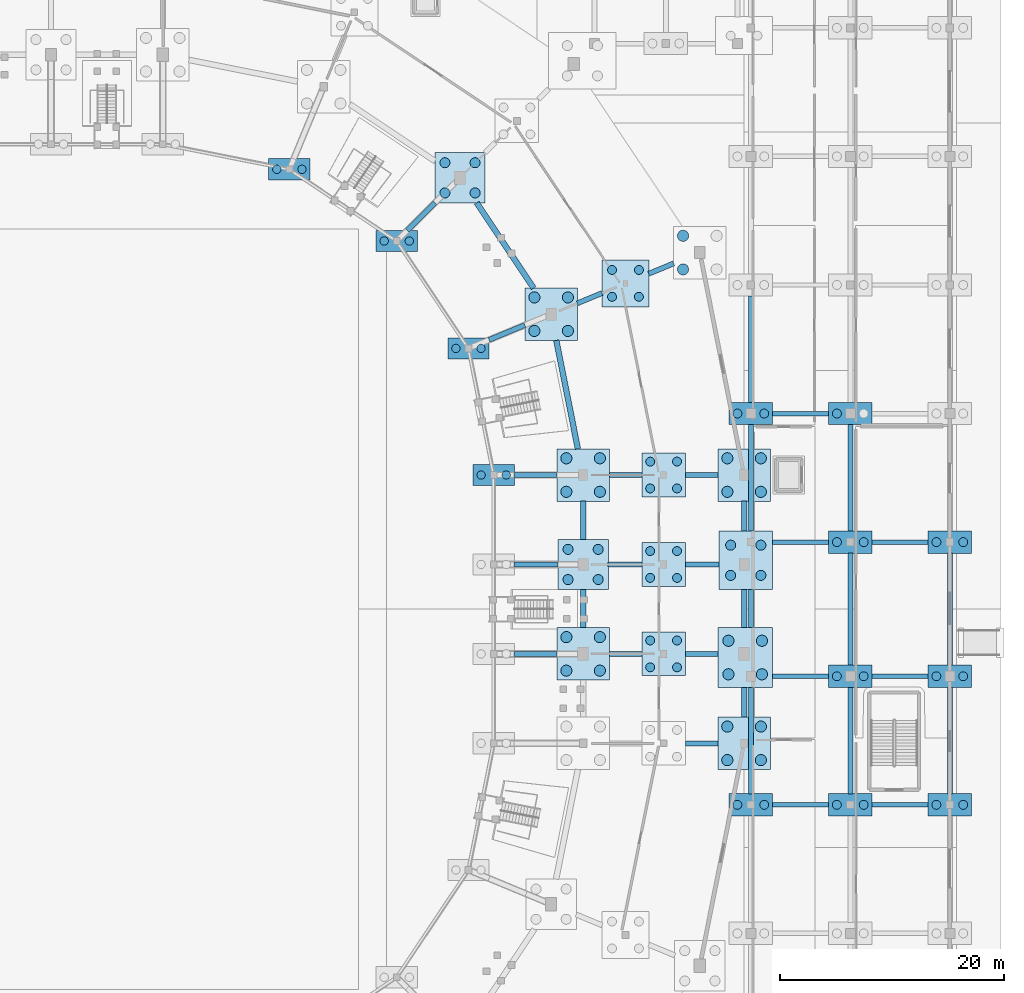
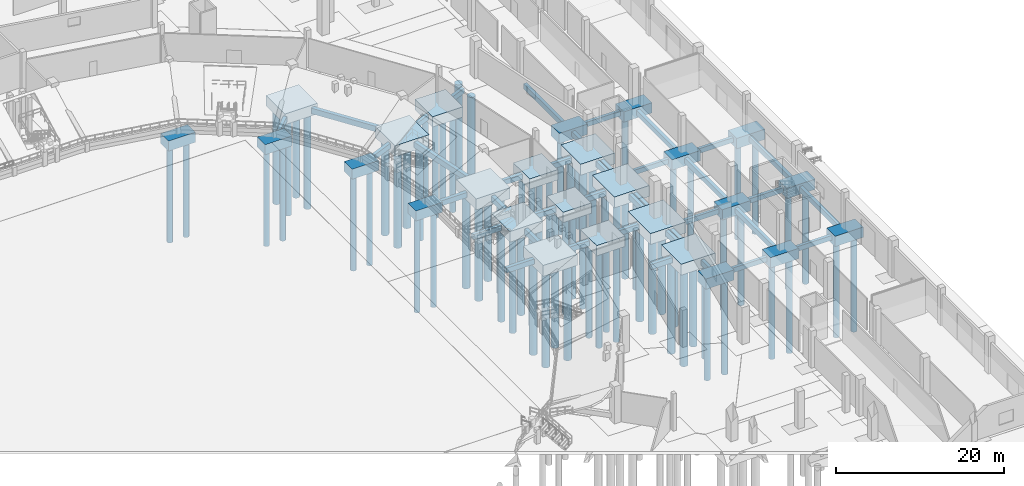
# One storey, part 8 of 68: 79 piles, 63 footings.
"""IFC4 building model written with IfcOpenShell, lengths in metres."""

from ifc_helpers import new_model, si_unit, direction, frame, origin, origin_2d, place, context, subcontext, project, spatial, rectangle, circle, extrude, material, material_profile, profile_set, type_object, element, save


model = new_model("IFC4")

# Units and contexts
model_context = context("Model", 3, precision=1e-05, world=origin(), true_north=direction((0.0, 1.0)))
body_context = subcontext(model_context, "Body", "Model", "MODEL_VIEW")
ifc_project = project(units=[si_unit("LENGTHUNIT", "METRE"), si_unit("AREAUNIT", "SQUARE_METRE"), si_unit("VOLUMEUNIT", "CUBIC_METRE"), si_unit("PLANEANGLEUNIT", "RADIAN"), si_unit("MASSUNIT", "GRAM", prefix="KILO")], contexts=[model_context])

# Site, building, storey
site_placement = place(None, origin())
site = spatial("IfcSite", under=ifc_project, at=site_placement, CompositionType="ELEMENT")
building_placement = place(site_placement, origin())
building = spatial("IfcBuilding", under=site, at=building_placement, Name="Candeia Ridge Stadium", CompositionType="ELEMENT")
storey_placement = place(building_placement, origin())
storey = spatial("IfcBuildingStorey", under=building, at=storey_placement, Name="L00", CompositionType="ELEMENT", Elevation=0.0)

# Piles
ifc_material = material(Name="Concrete C40/50", Category="concrete")
ifc_material_profile_1 = material_profile(ifc_material, circle(Radius=0.5, at=origin_2d()), Name="PILE-D1000", Category="concrete")
ifc_profile_set_1 = profile_set([ifc_material_profile_1], Name="Concrete C40/50")
pile_type_1 = type_object("IfcPileType", Name="Bored Concrete Pile D1000", PredefinedType="BORED", material=ifc_profile_set_1)
for number, where, z_axis, x_axis, name in (
    (1, (191.5, 69.5, -1.39990234375), (0.0, 0.0, -1.0), (1.0, 0.0, 0.0), "Bored concrete foundation pile PILE-0405"),
    (2, (194.5, 69.5, -1.39990234375), (0.0, 0.0, -1.0), (1.0, 0.0, 0.0), "Bored concrete foundation pile PILE-0406"),
    (3, (191.5, 72.5, -1.39990234375), (0.0, 0.0, -1.0), (1.0, 0.0, 0.0), "Bored concrete foundation pile PILE-0407"),
    (4, (194.5, 72.5, -1.39990234375), (0.0, 0.0, -1.0), (1.0, 0.0, 0.0), "Bored concrete foundation pile PILE-0408"),
    (5, (177.10009765625, 77.5, -1.39990234375), (0.0, 0.0, -1.0), (1.0, 0.0, 0.0), "Bored concrete foundation pile PILE-0411"),
    (6, (180.10009765625, 77.5, -1.39990234375), (0.0, 0.0, -1.0), (1.0, 0.0, 0.0), "Bored concrete foundation pile PILE-0412"),
    (7, (177.10009765625, 80.5, -1.39990234375), (0.0, 0.0, -1.0), (1.0, 0.0, 0.0), "Bored concrete foundation pile PILE-0413"),
    (8, (180.10009765625, 80.5, -1.39990234375), (0.0, 0.0, -1.0), (1.0, 0.0, 0.0), "Bored concrete foundation pile PILE-0414"),
    (9, (191.60009765625, 77.175048828125, -1.39990234375), (0.0, 0.0, -1.0), (1.0, 0.0, 0.0), "Bored concrete foundation pile PILE-0419"),
    (10, (194.60009765625, 77.175048828125, -1.39990234375), (0.0, 0.0, -1.0), (1.0, 0.0, 0.0), "Bored concrete foundation pile PILE-0420"),
    (11, (191.60009765625, 80.175048828125, -1.39990234375), (0.0, 0.0, -1.0), (1.0, 0.0, 0.0), "Bored concrete foundation pile PILE-0421"),
    (12, (194.60009765625, 80.175048828125, -1.39990234375), (0.0, 0.0, -1.0), (1.0, 0.0, 0.0), "Bored concrete foundation pile PILE-0422"),
    (13, (177.10009765625, 93.5, -1.39990234375), (0.0, 0.0, -1.0), (1.0, 0.0, 0.0), "Bored concrete foundation pile PILE-0439"),
    (14, (180.10009765625, 93.5, -1.39990234375), (0.0, 0.0, -1.0), (1.0, 0.0, 0.0), "Bored concrete foundation pile PILE-0440"),
    (15, (177.10009765625, 96.5, -1.39990234375), (0.0, 0.0, -1.0), (1.0, 0.0, 0.0), "Bored concrete foundation pile PILE-0441"),
    (16, (180.10009765625, 96.5, -1.39990234375), (0.0, 0.0, -1.0), (1.0, 0.0, 0.0), "Bored concrete foundation pile PILE-0442"),
    (17, (191.5, 93.5, -1.39990234375), (0.0, 0.0, -1.0), (1.0, 0.0, 0.0), "Bored concrete foundation pile PILE-0447"),
    (18, (194.5, 93.5, -1.39990234375), (0.0, 0.0, -1.0), (1.0, 0.0, 0.0), "Bored concrete foundation pile PILE-0448"),
    (19, (191.5, 96.5, -1.39990234375), (0.0, 0.0, -1.0), (1.0, 0.0, 0.0), "Bored concrete foundation pile PILE-0449"),
    (20, (194.5, 96.5, -1.39990234375), (0.0, 0.0, -1.0), (1.0, 0.0, 0.0), "Bored concrete foundation pile PILE-0450"),
    (21, (174.23779296875, 107.888916015625, -1.39990234375), (0.0, 0.0, -1.0), (1.0, 0.0, 0.0), "Bored concrete foundation pile PILE-0453"),
    (22, (177.23779296875, 107.888916015625, -1.39990234375), (0.0, 0.0, -1.0), (1.0, 0.0, 0.0), "Bored concrete foundation pile PILE-0454"),
    (23, (174.23779296875, 110.888916015625, -1.39990234375), (0.0, 0.0, -1.0), (1.0, 0.0, 0.0), "Bored concrete foundation pile PILE-0455"),
    (24, (177.23779296875, 110.888916015625, -1.39990234375), (0.0, 0.0, -1.0), (1.0, 0.0, 0.0), "Bored concrete foundation pile PILE-0456"),
    (25, (187.541748046875, 113.3994140625, -1.39990234375), (0.0, 0.0, -1.0), (1.0, 0.0, 0.0), "Bored concrete foundation pile PILE-0461"),
    (26, (187.541748046875, 116.3994140625, -1.39990234375), (0.0, 0.0, -1.0), (1.0, 0.0, 0.0), "Bored concrete foundation pile PILE-0463"),
):
    element("IfcPile", number, at=place(storey_placement, frame(where, z_axis=z_axis, x_axis=x_axis)), inside=storey, type_object=pile_type_1, Name=name, PredefinedType="BORED", context=body_context, shape_type="SweptSolid", body=[
        extrude(circle(Radius=0.5, at=origin_2d()), origin(), (0.0, 0.0, 1.0), 14.0),
    ])
ifc_material_profile_2 = material_profile(ifc_material, circle(Radius=0.375, at=origin_2d()), Name="PILE-D750", Category="concrete")
ifc_profile_set_2 = profile_set([ifc_material_profile_2], Name="Concrete C40/50")
pile_type_2 = type_object("IfcPileType", Name="Bored Concrete Pile D750", PredefinedType="BORED", material=ifc_profile_set_2)
for number, where, z_axis, x_axis, name in (
    (27, (169.47509765625, 95.0, -1.39990234375), (0.0, 0.0, -1.0), (1.0, 0.0, 0.0), "Bored concrete foundation pile PILE-0437"),
    (28, (171.72509765625, 95.0, -1.39990234375), (0.0, 0.0, -1.0), (1.0, 0.0, 0.0), "Bored concrete foundation pile PILE-0438"),
    (29, (167.2216796875, 106.327392578125, -1.39990234375), (0.0, 0.0, -1.0), (1.0, 0.0, 0.0), "Bored concrete foundation pile PILE-0451"),
    (30, (169.4716796875, 106.327392578125, -1.39990234375), (0.0, 0.0, -1.0), (1.0, 0.0, 0.0), "Bored concrete foundation pile PILE-0452"),
    (31, (160.805419921875, 115.930419921875, -1.39990234375), (0.0, 0.0, -1.0), (1.0, 0.0, 0.0), "Bored concrete foundation pile PILE-0465"),
    (32, (163.055419921875, 115.930419921875, -1.39990234375), (0.0, 0.0, -1.0), (1.0, 0.0, 0.0), "Bored concrete foundation pile PILE-0466"),
    (33, (151.202392578125, 122.3466796875, -1.39990234375), (0.0, 0.0, -1.0), (1.0, 0.0, 0.0), "Bored concrete foundation pile PILE-0479"),
    (34, (153.452392578125, 122.3466796875, -1.39990234375), (0.0, 0.0, -1.0), (1.0, 0.0, 0.0), "Bored concrete foundation pile PILE-0480"),
):
    element("IfcPile", number, at=place(storey_placement, frame(where, z_axis=z_axis, x_axis=x_axis)), inside=storey, type_object=pile_type_2, Name=name, PredefinedType="BORED", context=body_context, shape_type="SweptSolid", body=[
        extrude(circle(Radius=0.375, at=origin_2d()), origin(), (0.0, 0.0, 1.0), 14.0),
    ])
ifc_material_profile_3 = material_profile(ifc_material, circle(Radius=0.39990234375, at=origin_2d()), Name="PILE-D800", Category="concrete")
ifc_profile_set_3 = profile_set([ifc_material_profile_3], Name="Concrete C40/50")
pile_type_3 = type_object("IfcPileType", Name="Bored Concrete Pile D800", PredefinedType="BORED", material=ifc_profile_set_3)
for number, where, z_axis, x_axis, name in (
    (35, (184.60009765625, 77.800048828125, -1.39990234375), (0.0, 0.0, -1.0), (1.0, 0.0, 0.0), "Bored concrete foundation pile PILE-0415"),
    (36, (187.0, 77.800048828125, -1.39990234375), (0.0, 0.0, -1.0), (1.0, 0.0, 0.0), "Bored concrete foundation pile PILE-0416"),
    (37, (184.60009765625, 80.199951171875, -1.39990234375), (0.0, 0.0, -1.0), (1.0, 0.0, 0.0), "Bored concrete foundation pile PILE-0417"),
    (38, (187.0, 80.199951171875, -1.39990234375), (0.0, 0.0, -1.0), (1.0, 0.0, 0.0), "Bored concrete foundation pile PILE-0418"),
    (39, (184.60009765625, 85.800048828125, -1.39990234375), (0.0, 0.0, -1.0), (1.0, 0.0, 0.0), "Bored concrete foundation pile PILE-0429"),
    (40, (187.0, 85.800048828125, -1.39990234375), (0.0, 0.0, -1.0), (1.0, 0.0, 0.0), "Bored concrete foundation pile PILE-0430"),
    (41, (184.60009765625, 88.199951171875, -1.39990234375), (0.0, 0.0, -1.0), (1.0, 0.0, 0.0), "Bored concrete foundation pile PILE-0431"),
    (42, (187.0, 88.199951171875, -1.39990234375), (0.0, 0.0, -1.0), (1.0, 0.0, 0.0), "Bored concrete foundation pile PILE-0432"),
    (43, (184.60009765625, 93.800048828125, -1.39990234375), (0.0, 0.0, -1.0), (1.0, 0.0, 0.0), "Bored concrete foundation pile PILE-0443"),
    (44, (187.0, 93.800048828125, -1.39990234375), (0.0, 0.0, -1.0), (1.0, 0.0, 0.0), "Bored concrete foundation pile PILE-0444"),
    (45, (184.60009765625, 96.199951171875, -1.39990234375), (0.0, 0.0, -1.0), (1.0, 0.0, 0.0), "Bored concrete foundation pile PILE-0445"),
    (46, (187.0, 96.199951171875, -1.39990234375), (0.0, 0.0, -1.0), (1.0, 0.0, 0.0), "Bored concrete foundation pile PILE-0446"),
    (47, (181.189697265625, 110.944091796875, -1.39990234375), (0.0, 0.0, -1.0), (1.0, 0.0, 0.0), "Bored concrete foundation pile PILE-0457"),
    (48, (183.58984375, 110.944091796875, -1.39990234375), (0.0, 0.0, -1.0), (1.0, 0.0, 0.0), "Bored concrete foundation pile PILE-0458"),
    (49, (181.189697265625, 113.34423828125, -1.39990234375), (0.0, 0.0, -1.0), (1.0, 0.0, 0.0), "Bored concrete foundation pile PILE-0459"),
    (50, (183.58984375, 113.34423828125, -1.39990234375), (0.0, 0.0, -1.0), (1.0, 0.0, 0.0), "Bored concrete foundation pile PILE-0460"),
    (51, (192.39990234375, 65.5, -1.39990234375), (0.0, 0.0, -1.0), (1.0, 0.0, 0.0), "Bored concrete foundation pile PILE-0661"),
    (52, (194.800048828125, 65.5, -1.39990234375), (0.0, 0.0, -1.0), (1.0, 0.0, 0.0), "Bored concrete foundation pile PILE-0662"),
    (53, (192.39990234375, 100.5, -1.39990234375), (0.0, 0.0, -1.0), (1.0, 0.0, 0.0), "Bored concrete foundation pile PILE-0663"),
    (54, (194.800048828125, 100.5, -1.39990234375), (0.0, 0.0, -1.0), (1.0, 0.0, 0.0), "Bored concrete foundation pile PILE-0664"),
    (55, (201.300048828125, 65.5, -1.39990234375), (0.0, 0.0, -1.0), (1.0, 0.0, 0.0), "Bored concrete foundation pile PILE-0681"),
    (56, (203.699951171875, 65.5, -1.39990234375), (0.0, 0.0, -1.0), (1.0, 0.0, 0.0), "Bored concrete foundation pile PILE-0682"),
    (57, (201.300048828125, 77.0, -1.39990234375), (0.0, 0.0, -1.0), (1.0, 0.0, 0.0), "Bored concrete foundation pile PILE-0683"),
    (58, (203.699951171875, 77.0, -1.39990234375), (0.0, 0.0, -1.0), (1.0, 0.0, 0.0), "Bored concrete foundation pile PILE-0684"),
    (59, (201.300048828125, 89.0, -1.39990234375), (0.0, 0.0, -1.0), (1.0, 0.0, 0.0), "Bored concrete foundation pile PILE-0685"),
    (60, (203.699951171875, 89.0, -1.39990234375), (0.0, 0.0, -1.0), (1.0, 0.0, 0.0), "Bored concrete foundation pile PILE-0686"),
    (61, (201.300048828125, 100.5, -1.39990234375), (0.0, 0.0, -1.0), (1.0, 0.0, 0.0), "Bored concrete foundation pile PILE-0687"),
    (62, (210.199951171875, 65.5, -1.39990234375), (0.0, 0.0, -1.0), (1.0, 0.0, 0.0), "Bored concrete foundation pile PILE-0705"),
    (63, (212.60009765625, 65.5, -1.39990234375), (0.0, 0.0, -1.0), (1.0, 0.0, 0.0), "Bored concrete foundation pile PILE-0706"),
    (64, (210.199951171875, 77.0, -1.39990234375), (0.0, 0.0, -1.0), (1.0, 0.0, 0.0), "Bored concrete foundation pile PILE-0707"),
    (65, (212.60009765625, 77.0, -1.39990234375), (0.0, 0.0, -1.0), (1.0, 0.0, 0.0), "Bored concrete foundation pile PILE-0708"),
    (66, (210.199951171875, 89.0, -1.39990234375), (0.0, 0.0, -1.0), (1.0, 0.0, 0.0), "Bored concrete foundation pile PILE-0709"),
    (67, (212.60009765625, 89.0, -1.39990234375), (0.0, 0.0, -1.0), (1.0, 0.0, 0.0), "Bored concrete foundation pile PILE-0710"),
):
    element("IfcPile", number, at=place(storey_placement, frame(where, z_axis=z_axis, x_axis=x_axis)), inside=storey, type_object=pile_type_3, Name=name, PredefinedType="BORED", context=body_context, shape_type="SweptSolid", body=[
        extrude(circle(Radius=0.39990234375, at=origin_2d()), origin(), (0.0, 0.0, 1.0), 14.0),
    ])
ifc_material_profile_4 = material_profile(ifc_material, circle(Radius=0.449951171875, at=origin_2d()), Name="PILE-D900", Category="concrete")
ifc_profile_set_4 = profile_set([ifc_material_profile_4], Name="Concrete C40/50")
pile_type_4 = type_object("IfcPileType", Name="Bored Concrete Pile D900", PredefinedType="BORED", material=ifc_profile_set_4)
for number, where, z_axis, x_axis, name in (
    (68, (177.25, 85.64990234375, -1.39990234375), (0.0, 0.0, -1.0), (1.0, 0.0, 0.0), "Bored concrete foundation pile PILE-0425"),
    (69, (179.949951171875, 85.64990234375, -1.39990234375), (0.0, 0.0, -1.0), (1.0, 0.0, 0.0), "Bored concrete foundation pile PILE-0426"),
    (70, (177.25, 88.35009765625, -1.39990234375), (0.0, 0.0, -1.0), (1.0, 0.0, 0.0), "Bored concrete foundation pile PILE-0427"),
    (71, (179.949951171875, 88.35009765625, -1.39990234375), (0.0, 0.0, -1.0), (1.0, 0.0, 0.0), "Bored concrete foundation pile PILE-0428"),
    (72, (191.800048828125, 86.02490234375, -1.39990234375), (0.0, 0.0, -1.0), (1.0, 0.0, 0.0), "Bored concrete foundation pile PILE-0433"),
    (73, (194.5, 86.02490234375, -1.39990234375), (0.0, 0.0, -1.0), (1.0, 0.0, 0.0), "Bored concrete foundation pile PILE-0434"),
    (74, (191.800048828125, 88.72509765625, -1.39990234375), (0.0, 0.0, -1.0), (1.0, 0.0, 0.0), "Bored concrete foundation pile PILE-0435"),
    (75, (194.5, 88.72509765625, -1.39990234375), (0.0, 0.0, -1.0), (1.0, 0.0, 0.0), "Bored concrete foundation pile PILE-0436"),
    (76, (166.2373046875, 120.2373046875, -1.39990234375), (0.0, 0.0, -1.0), (1.0, 0.0, 0.0), "Bored concrete foundation pile PILE-0467"),
    (77, (168.937255859375, 120.2373046875, -1.39990234375), (0.0, 0.0, -1.0), (1.0, 0.0, 0.0), "Bored concrete foundation pile PILE-0468"),
    (78, (166.2373046875, 122.937255859375, -1.39990234375), (0.0, 0.0, -1.0), (1.0, 0.0, 0.0), "Bored concrete foundation pile PILE-0469"),
    (79, (168.937255859375, 122.937255859375, -1.39990234375), (0.0, 0.0, -1.0), (1.0, 0.0, 0.0), "Bored concrete foundation pile PILE-0470"),
):
    element("IfcPile", number, at=place(storey_placement, frame(where, z_axis=z_axis, x_axis=x_axis)), inside=storey, type_object=pile_type_4, Name=name, PredefinedType="BORED", context=body_context, shape_type="SweptSolid", body=[
        extrude(circle(Radius=0.449951171875, at=origin_2d()), origin(), (0.0, 0.0, 1.0), 14.0),
    ])

# Footings
footing_type_1 = type_object("IfcFootingType", Name="Ground Tie Beam 400x700", PredefinedType="FOOTING_BEAM", material=ifc_material)
for number, where, z_axis, x_axis, name in (
    (80, (198.050048828125, 65.5, -1.0498046875), (0.0, 0.0, 1.0), (1.0, 0.0, 0.0), "Ground tie beam GTB-0241"),
    (81, (198.050048828125, 77.0, -1.0498046875), (0.0, 0.0, 1.0), (1.0, 0.0, 0.0), "Ground tie beam GTB-0243"),
    (82, (198.050048828125, 89.0, -1.0498046875), (0.0, 0.0, 1.0), (1.0, 0.0, 0.0), "Ground tie beam GTB-0245"),
    (83, (198.050048828125, 100.5, -1.0498046875), (0.0, 0.0, 1.0), (1.0, 0.0, 0.0), "Ground tie beam GTB-0247"),
    (84, (206.949951171875, 65.5, -1.0498046875), (0.0, 0.0, 1.0), (1.0, 0.0, 0.0), "Ground tie beam GTB-0264"),
    (85, (206.949951171875, 77.0, -1.0498046875), (0.0, 0.0, 1.0), (1.0, 0.0, 0.0), "Ground tie beam GTB-0266"),
    (86, (206.949951171875, 89.0, -1.0498046875), (0.0, 0.0, 1.0), (1.0, 0.0, 0.0), "Ground tie beam GTB-0268"),
):
    element("IfcFooting", number, at=place(storey_placement, frame(where, z_axis=z_axis, x_axis=x_axis)), inside=storey, type_object=footing_type_1, Name=name, PredefinedType="FOOTING_BEAM", context=body_context, shape_type="SweptSolid", body=[
        extrude(rectangle(XDim=5.02001953125, YDim=0.39990234375, at=origin_2d()), origin(), (0.0, 0.0, 1.0), 0.699951171875),
    ])
footing_type_2 = type_object("IfcFootingType", Name="Ground Tie Beam 450x750", PredefinedType="FOOTING_BEAM", material=ifc_material)
footing_1_placement = place(storey_placement, frame((189.199951171875, 71.0, -1.074951171875), z_axis=(0.0, 0.0, 1.0), x_axis=(1.0, 0.0, 0.0)))
element("IfcFooting", 87, at=footing_1_placement, inside=storey, type_object=footing_type_2, Name="Ground tie beam GTB-0133", PredefinedType="FOOTING_BEAM", context=body_context, shape_type="SweptSolid", body=[
    extrude(rectangle(XDim=2.919921875, YDim=0.449951171875, at=origin_2d()), origin(), (0.0, 0.0, 1.0), 0.75),
])
footing_2_placement = place(storey_placement, frame((174.35009765625, 79.0, -1.074951171875), z_axis=(0.0, 0.0, 1.0), x_axis=(1.0, 0.0, 0.0)))
element("IfcFooting", 88, at=footing_2_placement, inside=storey, type_object=footing_type_2, Name="Ground tie beam GTB-0136", PredefinedType="FOOTING_BEAM", context=body_context, shape_type="SweptSolid", body=[
    extrude(rectangle(XDim=3.820068359375, YDim=0.449951171875, at=origin_2d()), origin(), (0.0, 0.0, 1.0), 0.75),
])
for number, where, z_axis, x_axis, name in (
    (89, (182.39990234375, 79.0, -1.074951171875), (0.0, 0.0, 1.0), (1.0, 0.0, 0.0), "Ground tie beam GTB-0137"),
    (90, (189.199951171875, 79.0, -1.074951171875), (0.0, 0.0, 1.0), (1.0, 0.0, 0.0), "Ground tie beam GTB-0138"),
):
    element("IfcFooting", number, at=place(storey_placement, frame(where, z_axis=z_axis, x_axis=x_axis)), inside=storey, type_object=footing_type_2, Name=name, PredefinedType="FOOTING_BEAM", context=body_context, shape_type="SweptSolid", body=[
        extrude(rectangle(XDim=2.919921875, YDim=0.449951171875, at=origin_2d()), origin(), (0.0, 0.0, 1.0), 0.75),
    ])
footing_3_placement = place(storey_placement, frame((174.39990234375, 87.0, -1.074951171875), z_axis=(0.0, 0.0, 1.0), x_axis=(1.0, 0.0, 0.0)))
element("IfcFooting", 91, at=footing_3_placement, inside=storey, type_object=footing_type_2, Name="Ground tie beam GTB-0141", PredefinedType="FOOTING_BEAM", context=body_context, shape_type="SweptSolid", body=[
    extrude(rectangle(XDim=3.919921875, YDim=0.449951171875, at=origin_2d()), origin(), (0.0, 0.0, 1.0), 0.75),
])
for number, where, z_axis, x_axis, name in (
    (92, (182.35009765625, 87.0, -1.074951171875), (0.0, 0.0, 1.0), (1.0, 0.0, 0.0), "Ground tie beam GTB-0142"),
    (93, (189.25, 87.0, -1.074951171875), (0.0, 0.0, 1.0), (1.0, 0.0, 0.0), "Ground tie beam GTB-0143"),
):
    element("IfcFooting", number, at=place(storey_placement, frame(where, z_axis=z_axis, x_axis=x_axis)), inside=storey, type_object=footing_type_2, Name=name, PredefinedType="FOOTING_BEAM", context=body_context, shape_type="SweptSolid", body=[
        extrude(rectangle(XDim=3.02001953125, YDim=0.449951171875, at=origin_2d()), origin(), (0.0, 0.0, 1.0), 0.75),
    ])
footing_4_placement = place(storey_placement, frame((174.35009765625, 95.0, -1.074951171875), z_axis=(0.0, 0.0, 1.0), x_axis=(1.0, 0.0, 0.0)))
element("IfcFooting", 94, at=footing_4_placement, inside=storey, type_object=footing_type_2, Name="Ground tie beam GTB-0145", PredefinedType="FOOTING_BEAM", context=body_context, shape_type="SweptSolid", body=[
    extrude(rectangle(XDim=3.820068359375, YDim=0.449951171875, at=origin_2d()), origin(), (0.0, 0.0, 1.0), 0.75),
])
for number, where, z_axis, x_axis, name in (
    (95, (182.39990234375, 95.0, -1.074951171875), (0.0, 0.0, 1.0), (1.0, 0.0, 0.0), "Ground tie beam GTB-0146"),
    (96, (189.199951171875, 95.0, -1.074951171875), (0.0, 0.0, 1.0), (1.0, 0.0, 0.0), "Ground tie beam GTB-0147"),
):
    element("IfcFooting", number, at=place(storey_placement, frame(where, z_axis=z_axis, x_axis=x_axis)), inside=storey, type_object=footing_type_2, Name=name, PredefinedType="FOOTING_BEAM", context=body_context, shape_type="SweptSolid", body=[
        extrude(rectangle(XDim=2.919921875, YDim=0.449951171875, at=origin_2d()), origin(), (0.0, 0.0, 1.0), 0.75),
    ])
footing_5_placement = place(storey_placement, frame((171.792236328125, 107.754638671875, -1.074951171875), z_axis=(0.0, 0.0, 1.0), x_axis=(0.923881408021, 0.382678904453, 0.0)))
element("IfcFooting", 97, at=footing_5_placement, inside=storey, type_object=footing_type_2, Name="Ground tie beam GTB-0149", PredefinedType="FOOTING_BEAM", context=body_context, shape_type="SweptSolid", body=[
    extrude(rectangle(XDim=3.473876953125, YDim=0.449951171875, at=origin_2d()), origin(), (0.0, 0.0, 1.0), 0.75),
])
for number, where, z_axis, x_axis, name in (
    (98, (179.188720703125, 110.818359375, -1.074951171875), (0.0, 0.0, 1.0), (0.923882444352, 0.382676402483, 0.0), "Ground tie beam GTB-0150"),
    (99, (185.5908203125, 113.47021484375, -1.074951171875), (0.0, 0.0, 1.0), (0.923867733186, 0.382711917213, 0.0), "Ground tie beam GTB-0151"),
):
    element("IfcFooting", number, at=place(storey_placement, frame(where, z_axis=z_axis, x_axis=x_axis)), inside=storey, type_object=footing_type_2, Name=name, PredefinedType="FOOTING_BEAM", context=body_context, shape_type="SweptSolid", body=[
        extrude(rectangle(XDim=2.4033203125, YDim=0.449951171875, at=origin_2d()), origin(), (0.0, 0.0, 1.0), 0.75),
    ])
footing_6_placement = place(storey_placement, frame((164.10888671875, 118.10888671875, -1.074951171875), z_axis=(0.0, 0.0, 1.0), x_axis=(0.707106781187, 0.707106781187, 0.0)))
element("IfcFooting", 100, at=footing_6_placement, inside=storey, type_object=footing_type_2, Name="Ground tie beam GTB-0153", PredefinedType="FOOTING_BEAM", context=body_context, shape_type="SweptSolid", body=[
    extrude(rectangle(XDim=3.49462890625, YDim=0.449951171875, at=origin_2d()), origin(), (0.0, 0.0, 1.0), 0.75),
])
footing_7_placement = place(storey_placement, frame((193.60009765625, 71.25, -1.074951171875), z_axis=(0.0, 0.0, 1.0), x_axis=(0.0, 1.0, 0.0)))
element("IfcFooting", 101, at=footing_7_placement, inside=storey, type_object=footing_type_2, Name="Ground tie beam GTB-0240", PredefinedType="FOOTING_BEAM", context=body_context, shape_type="SweptSolid", body=[
    extrude(rectangle(XDim=9.52001953125, YDim=0.449951171875, at=origin_2d()), origin(), (0.0, 0.0, 1.0), 0.75),
])
footing_8_placement = place(storey_placement, frame((193.60009765625, 83.050048828125, -1.074951171875), z_axis=(0.0, 0.0, 1.0), x_axis=(0.0, 1.0, 0.0)))
element("IfcFooting", 102, at=footing_8_placement, inside=storey, type_object=footing_type_2, Name="Ground tie beam GTB-0242", PredefinedType="FOOTING_BEAM", context=body_context, shape_type="SweptSolid", body=[
    extrude(rectangle(XDim=3.419921875, YDim=0.449951171875, at=origin_2d()), origin(), (0.0, 0.0, 1.0), 0.75),
])
for number, where, z_axis, x_axis, name in (
    (103, (193.60009765625, 94.75, -1.074951171875), (0.0, 0.0, 1.0), (0.0, 1.0, 0.0), "Ground tie beam GTB-0244"),
    (104, (193.60009765625, 106.25, -1.074951171875), (0.0, 0.0, 1.0), (0.0, 1.0, 0.0), "Ground tie beam GTB-0246"),
    (105, (202.5, 71.25, -1.074951171875), (0.0, 0.0, 1.0), (0.0, 1.0, 0.0), "Ground tie beam GTB-0263"),
):
    element("IfcFooting", number, at=place(storey_placement, frame(where, z_axis=z_axis, x_axis=x_axis)), inside=storey, type_object=footing_type_2, Name=name, PredefinedType="FOOTING_BEAM", context=body_context, shape_type="SweptSolid", body=[
        extrude(rectangle(XDim=9.52001953125, YDim=0.449951171875, at=origin_2d()), origin(), (0.0, 0.0, 1.0), 0.75),
    ])
footing_9_placement = place(storey_placement, frame((202.5, 83.0, -1.074951171875), z_axis=(0.0, 0.0, 1.0), x_axis=(0.0, 1.0, 0.0)))
element("IfcFooting", 106, at=footing_9_placement, inside=storey, type_object=footing_type_2, Name="Ground tie beam GTB-0265", PredefinedType="FOOTING_BEAM", context=body_context, shape_type="SweptSolid", body=[
    extrude(rectangle(XDim=10.02001953125, YDim=0.449951171875, at=origin_2d()), origin(), (0.0, 0.0, 1.0), 0.75),
])
for number, where, z_axis, x_axis, name in (
    (107, (202.5, 94.75, -1.074951171875), (0.0, 0.0, 1.0), (0.0, 1.0, 0.0), "Ground tie beam GTB-0267"),
    (108, (211.39990234375, 71.25, -1.074951171875), (0.0, 0.0, 1.0), (0.0, 1.0, 0.0), "Ground tie beam GTB-0282"),
):
    element("IfcFooting", number, at=place(storey_placement, frame(where, z_axis=z_axis, x_axis=x_axis)), inside=storey, type_object=footing_type_2, Name=name, PredefinedType="FOOTING_BEAM", context=body_context, shape_type="SweptSolid", body=[
        extrude(rectangle(XDim=9.52001953125, YDim=0.449951171875, at=origin_2d()), origin(), (0.0, 0.0, 1.0), 0.75),
    ])
footing_10_placement = place(storey_placement, frame((211.39990234375, 83.0, -1.074951171875), z_axis=(0.0, 0.0, 1.0), x_axis=(0.0, 1.0, 0.0)))
element("IfcFooting", 109, at=footing_10_placement, inside=storey, type_object=footing_type_2, Name="Ground tie beam GTB-0283", PredefinedType="FOOTING_BEAM", context=body_context, shape_type="SweptSolid", body=[
    extrude(rectangle(XDim=10.02001953125, YDim=0.449951171875, at=origin_2d()), origin(), (0.0, 0.0, 1.0), 0.75),
])
footing_type_3 = type_object("IfcFootingType", Name="Ground Tie Beam 500x800", PredefinedType="FOOTING_BEAM", material=ifc_material)
footing_11_placement = place(storey_placement, frame((193.0, 74.675048828125, -1.10009765625), z_axis=(0.0, 0.0, 1.0), x_axis=(0.0, 1.0, 0.0)))
element("IfcFooting", 110, at=footing_11_placement, inside=storey, type_object=footing_type_3, Name="Ground tie beam GTB-0130", PredefinedType="FOOTING_BEAM", context=body_context, shape_type="SweptSolid", body=[
    extrude(rectangle(XDim=2.669921875, YDim=0.5, at=origin_2d()), origin(), (0.0, 0.0, 1.0), 0.800048828125),
])
for number, where, z_axis, x_axis, name in (
    (111, (178.60009765625, 83.050048828125, -1.10009765625), (0.0, 0.0, 1.0), (0.0, 1.0, 0.0), "Ground tie beam GTB-0134"),
    (112, (193.0, 83.050048828125, -1.10009765625), (0.0, 0.0, 1.0), (0.0, 1.0, 0.0), "Ground tie beam GTB-0135"),
    (113, (178.60009765625, 90.949951171875, -1.10009765625), (0.0, 0.0, 1.0), (0.0, 1.0, 0.0), "Ground tie beam GTB-0139"),
):
    element("IfcFooting", number, at=place(storey_placement, frame(where, z_axis=z_axis, x_axis=x_axis)), inside=storey, type_object=footing_type_3, Name=name, PredefinedType="FOOTING_BEAM", context=body_context, shape_type="SweptSolid", body=[
        extrude(rectangle(XDim=3.419921875, YDim=0.5, at=origin_2d()), origin(), (0.0, 0.0, 1.0), 0.800048828125),
    ])
footing_12_placement = place(storey_placement, frame((193.0, 91.324951171875, -1.10009765625), z_axis=(0.0, 0.0, 1.0), x_axis=(0.0, 1.0, 0.0)))
element("IfcFooting", 114, at=footing_12_placement, inside=storey, type_object=footing_type_3, Name="Ground tie beam GTB-0140", PredefinedType="FOOTING_BEAM", context=body_context, shape_type="SweptSolid", body=[
    extrude(rectangle(XDim=2.669921875, YDim=0.5, at=origin_2d()), origin(), (0.0, 0.0, 1.0), 0.800048828125),
])
footing_13_placement = place(storey_placement, frame((177.1689453125, 102.1943359375, -1.10009765625), z_axis=(0.0, 0.0, 1.0), x_axis=(-0.195086365033, 0.980786067488, 0.0)))
element("IfcFooting", 115, at=footing_13_placement, inside=storey, type_object=footing_type_3, Name="Ground tie beam GTB-0144", PredefinedType="FOOTING_BEAM", context=body_context, shape_type="SweptSolid", body=[
    extrude(rectangle(XDim=9.898681640625, YDim=0.5, at=origin_2d()), origin(), (0.0, 0.0, 1.0), 0.800048828125),
])
footing_14_placement = place(storey_placement, frame((171.629150390625, 115.5380859375, -1.10009765625), z_axis=(0.0, 0.0, 1.0), x_axis=(-0.555569213197, 0.831470293726, 0.0)))
element("IfcFooting", 116, at=footing_14_placement, inside=storey, type_object=footing_type_3, Name="Ground tie beam GTB-0148", PredefinedType="FOOTING_BEAM", context=body_context, shape_type="SweptSolid", body=[
    extrude(rectangle(XDim=9.158447265625, YDim=0.5, at=origin_2d()), origin(), (0.0, 0.0, 1.0), 0.800048828125),
])
footing_type_4 = type_object("IfcFootingType", Name="Pile Cap 3700x1900x1450", PredefinedType="PILE_CAP", material=ifc_material)
for number, where, z_axis, x_axis, name in (
    (117, (170.60009765625, 95.0, -1.4501953125), (0.0, 0.0, 1.0), (1.0, 0.0, 0.0), "Reinforced concrete pile cap CAP-126"),
    (118, (168.346923828125, 106.327392578125, -1.4501953125), (0.0, 0.0, 1.0), (1.0, 0.0, 0.0), "Reinforced concrete pile cap CAP-130"),
    (119, (161.930419921875, 115.930419921875, -1.4501953125), (0.0, 0.0, 1.0), (1.0, 0.0, 0.0), "Reinforced concrete pile cap CAP-134"),
    (120, (152.327392578125, 122.346923828125, -1.4501953125), (0.0, 0.0, 1.0), (1.0, 0.0, 0.0), "Reinforced concrete pile cap CAP-138"),
):
    element("IfcFooting", number, at=place(storey_placement, frame(where, z_axis=z_axis, x_axis=x_axis)), inside=storey, type_object=footing_type_4, Name=name, PredefinedType="PILE_CAP", context=body_context, shape_type="SweptSolid", body=[
        extrude(rectangle(XDim=3.699951171875, YDim=1.89990234375, at=origin_2d()), origin(), (0.0, 0.0, 1.0), 1.449951171875),
    ])
footing_type_5 = type_object("IfcFootingType", Name="Pile Cap 3900x2000x1500", PredefinedType="PILE_CAP", material=ifc_material)
for number, where, z_axis, x_axis, name in (
    (121, (193.60009765625, 65.5, -1.5), (0.0, 0.0, 1.0), (1.0, 0.0, 0.0), "Reinforced concrete pile cap CAP-186"),
    (122, (193.60009765625, 100.5, -1.5), (0.0, 0.0, 1.0), (1.0, 0.0, 0.0), "Reinforced concrete pile cap CAP-187"),
    (123, (202.5, 65.5, -1.5), (0.0, 0.0, 1.0), (1.0, 0.0, 0.0), "Reinforced concrete pile cap CAP-196"),
    (124, (202.5, 77.0, -1.5), (0.0, 0.0, 1.0), (1.0, 0.0, 0.0), "Reinforced concrete pile cap CAP-197"),
    (125, (202.5, 89.0, -1.5), (0.0, 0.0, 1.0), (1.0, 0.0, 0.0), "Reinforced concrete pile cap CAP-198"),
    (126, (202.5, 100.5, -1.5), (0.0, 0.0, 1.0), (1.0, 0.0, 0.0), "Reinforced concrete pile cap CAP-199"),
    (127, (211.39990234375, 65.5, -1.5), (0.0, 0.0, 1.0), (1.0, 0.0, 0.0), "Reinforced concrete pile cap CAP-208"),
    (128, (211.39990234375, 77.0, -1.5), (0.0, 0.0, 1.0), (1.0, 0.0, 0.0), "Reinforced concrete pile cap CAP-209"),
    (129, (211.39990234375, 89.0, -1.5), (0.0, 0.0, 1.0), (1.0, 0.0, 0.0), "Reinforced concrete pile cap CAP-210"),
):
    element("IfcFooting", number, at=place(storey_placement, frame(where, z_axis=z_axis, x_axis=x_axis)), inside=storey, type_object=footing_type_5, Name=name, PredefinedType="PILE_CAP", context=body_context, shape_type="SweptSolid", body=[
        extrude(rectangle(XDim=3.89990234375, YDim=2.0, at=origin_2d()), origin(), (0.0, 0.0, 1.0), 1.5),
    ])
footing_type_6 = type_object("IfcFootingType", Name="Pile Cap 3900x3900x1500", PredefinedType="PILE_CAP", material=ifc_material)
for number, where, z_axis, x_axis, name in (
    (130, (185.800048828125, 79.0, -1.5), (0.0, 0.0, 1.0), (1.0, 0.0, 0.0), "Reinforced concrete pile cap CAP-120"),
    (131, (185.800048828125, 87.0, -1.5), (0.0, 0.0, 1.0), (1.0, 0.0, 0.0), "Reinforced concrete pile cap CAP-124"),
    (132, (185.800048828125, 95.0, -1.5), (0.0, 0.0, 1.0), (1.0, 0.0, 0.0), "Reinforced concrete pile cap CAP-128"),
):
    element("IfcFooting", number, at=place(storey_placement, frame(where, z_axis=z_axis, x_axis=x_axis)), inside=storey, type_object=footing_type_6, Name=name, PredefinedType="PILE_CAP", context=body_context, shape_type="SweptSolid", body=[
        extrude(rectangle(XDim=3.89990234375, YDim=3.89990234375, at=origin_2d()), origin(), (0.0, 0.0, 1.0), 1.5),
    ])
footing_type_7 = type_object("IfcFootingType", Name="Pile Cap 4200x4200x1500", PredefinedType="PILE_CAP", material=ifc_material)
footing_15_placement = place(storey_placement, frame((182.389892578125, 112.144287109375, -1.5), z_axis=(0.0, 0.0, 1.0), x_axis=(1.0, 0.0, 0.0)))
element("IfcFooting", 133, at=footing_15_placement, inside=storey, type_object=footing_type_7, Name="Reinforced concrete pile cap CAP-132", PredefinedType="PILE_CAP", context=body_context, shape_type="SweptSolid", body=[
    extrude(rectangle(XDim=4.199951171875, YDim=4.199951171875, at=origin_2d()), origin(), (0.0, 0.0, 1.0), 1.5),
])
footing_type_8 = type_object("IfcFootingType", Name="Pile Cap 4500x4500x1550", PredefinedType="PILE_CAP", material=ifc_material)
for number, where, z_axis, x_axis, name in (
    (134, (178.60009765625, 87.0, -1.5498046875), (0.0, 0.0, 1.0), (1.0, 0.0, 0.0), "Reinforced concrete pile cap CAP-123"),
    (135, (167.587158203125, 121.587158203125, -1.5498046875), (0.0, 0.0, 1.0), (1.0, 0.0, 0.0), "Reinforced concrete pile cap CAP-135"),
):
    element("IfcFooting", number, at=place(storey_placement, frame(where, z_axis=z_axis, x_axis=x_axis)), inside=storey, type_object=footing_type_8, Name=name, PredefinedType="PILE_CAP", context=body_context, shape_type="SweptSolid", body=[
        extrude(rectangle(XDim=4.5, YDim=4.5, at=origin_2d()), origin(), (0.0, 0.0, 1.0), 1.550048828125),
    ])
footing_type_9 = type_object("IfcFootingType", Name="Pile Cap 4700x4700x1600", PredefinedType="PILE_CAP", material=ifc_material)
for number, where, z_axis, x_axis, name in (
    (136, (193.0, 71.0, -1.60009765625), (0.0, 0.0, 1.0), (1.0, 0.0, 0.0), "Reinforced concrete pile cap CAP-117"),
    (137, (178.60009765625, 79.0, -1.60009765625), (0.0, 0.0, 1.0), (1.0, 0.0, 0.0), "Reinforced concrete pile cap CAP-119"),
    (138, (178.60009765625, 95.0, -1.60009765625), (0.0, 0.0, 1.0), (1.0, 0.0, 0.0), "Reinforced concrete pile cap CAP-127"),
    (139, (193.0, 95.0, -1.60009765625), (0.0, 0.0, 1.0), (1.0, 0.0, 0.0), "Reinforced concrete pile cap CAP-129"),
    (140, (175.73779296875, 109.388916015625, -1.60009765625), (0.0, 0.0, 1.0), (1.0, 0.0, 0.0), "Reinforced concrete pile cap CAP-131"),
):
    element("IfcFooting", number, at=place(storey_placement, frame(where, z_axis=z_axis, x_axis=x_axis)), inside=storey, type_object=footing_type_9, Name=name, PredefinedType="PILE_CAP", context=body_context, shape_type="SweptSolid", body=[
        extrude(rectangle(XDim=4.699951171875, YDim=4.699951171875, at=origin_2d()), origin(), (0.0, 0.0, 1.0), 1.60009765625),
    ])
footing_type_10 = type_object("IfcFootingType", Name="Pile Cap 5400x4200x1600", PredefinedType="PILE_CAP", material=ifc_material)
footing_16_placement = place(storey_placement, frame((193.10009765625, 78.675048828125, -1.60009765625), z_axis=(0.0, 0.0, 1.0), x_axis=(1.0, 0.0, 0.0)))
element("IfcFooting", 141, at=footing_16_placement, inside=storey, type_object=footing_type_10, Name="Reinforced concrete pile cap CAP-121", PredefinedType="PILE_CAP", context=body_context, shape_type="SweptSolid", body=[
    extrude(rectangle(XDim=4.89990234375, YDim=5.35009765625, at=origin_2d()), origin(), (0.0, 0.0, 1.0), 1.60009765625),
])
footing_17_placement = place(storey_placement, frame((193.14990234375, 87.375, -1.60009765625), z_axis=(0.0, 0.0, 1.0), x_axis=(1.0, 0.0, 0.0)))
element("IfcFooting", 142, at=footing_17_placement, inside=storey, type_object=footing_type_10, Name="Reinforced concrete pile cap CAP-125", PredefinedType="PILE_CAP", context=body_context, shape_type="SweptSolid", body=[
    extrude(rectangle(XDim=4.800048828125, YDim=5.25, at=origin_2d()), origin(), (0.0, 0.0, 1.0), 1.60009765625),
])

save(model, "model.ifc")
